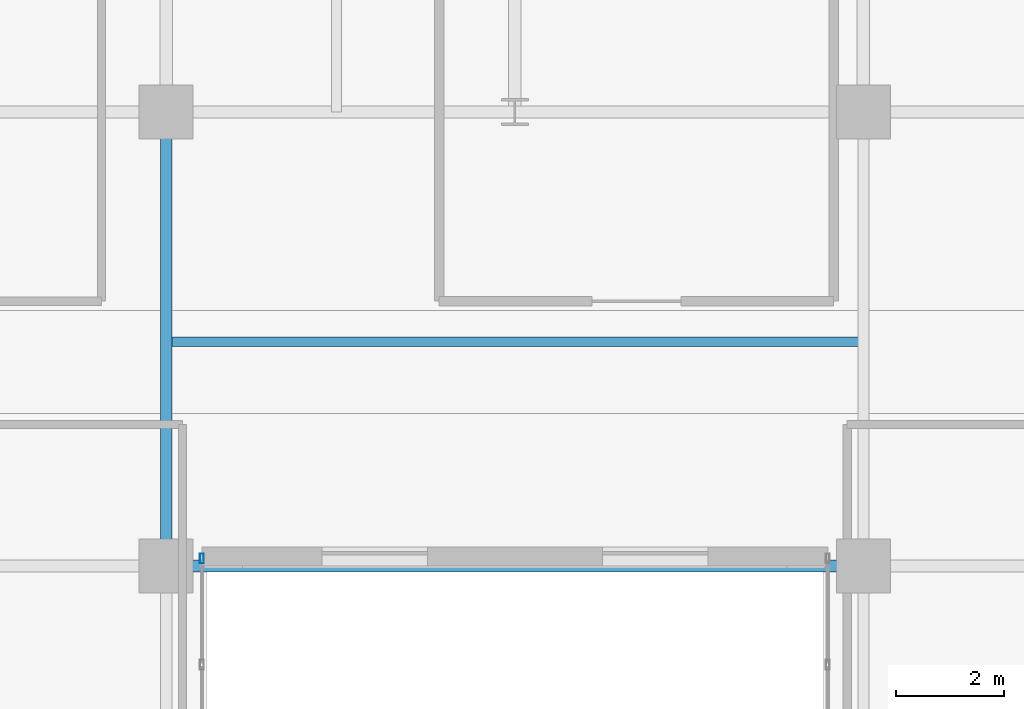
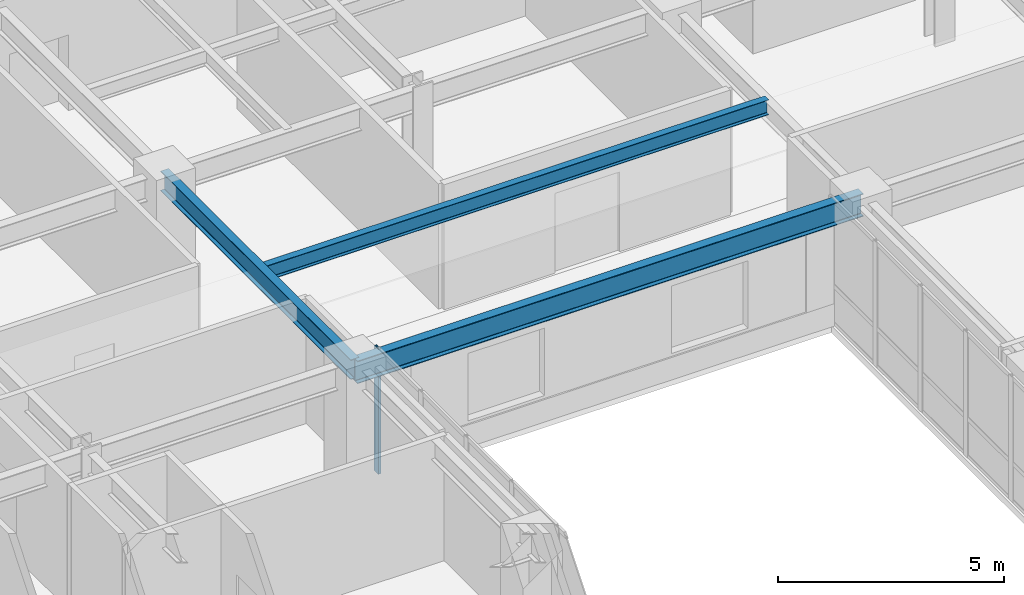
# One storey, part 5 of 24: 3 beams, 1 member, 1 element without a shape of its own.
"""IFC4 building model written with IfcOpenShell, lengths in metres."""

from ifc_helpers import new_model, si_unit, direction, frame, origin, origin_2d, place, context, subcontext, project, spatial, hollow_rectangle, i_section, extrude, source, transform, mapped, material, layer, layer_set, material_profile, profile_set, type_object, type_shapes, element, aggregate, save


model = new_model("IFC4")

# Units and contexts
model_context = context("Model", 3, precision=1e-05, world=origin(), true_north=direction((0.0, 1.0)))
body_context = subcontext(model_context, "Body", "Model", "MODEL_VIEW")
ifc_project = project(units=[si_unit("LENGTHUNIT", "METRE"), si_unit("AREAUNIT", "SQUARE_METRE"), si_unit("VOLUMEUNIT", "CUBIC_METRE"), si_unit("PLANEANGLEUNIT", "RADIAN"), si_unit("MASSUNIT", "GRAM", prefix="KILO")], contexts=[model_context])

# Site, building, storey
site_placement = place(None, origin())
site = spatial("IfcSite", under=ifc_project, at=site_placement, CompositionType="ELEMENT")
building_placement = place(site_placement, origin())
building = spatial("IfcBuilding", under=site, at=building_placement, Name="Tolvann Quenvar Hotel", CompositionType="ELEMENT")
storey_placement = place(building_placement, frame((0.0, 0.0, 67.5)))
storey = spatial("IfcBuildingStorey", under=building, at=storey_placement, Name="L16", CompositionType="ELEMENT", Elevation=67.5)

# Beams
ifc_material_1 = material(Name="Steel Grade 350", Category="steel")
ifc_material_profile_1 = material_profile(ifc_material_1, i_section(OverallWidth=0.22900390625, OverallDepth=0.612060546875, WebThickness=0.011962890625, FlangeThickness=0.01953125, FilletRadius=0.013916015625, at=origin_2d()), Name="610UB125")
ifc_profile_set_1 = profile_set([ifc_material_profile_1], Name="Steel Grade 350")
beam_type_1 = type_object("IfcBeamType", Name="BM_GIRD_610UB125", PredefinedType="BEAM", material=ifc_profile_set_1)
shared_shape_1 = source(origin(), body_context, "Body", "SweptSolid", [
    extrude(i_section(OverallWidth=0.22900390625, OverallDepth=0.612060546875, WebThickness=0.011962890625, FlangeThickness=0.01953125, FilletRadius=0.013916015625, at=origin_2d()), origin(), (0.0, 0.0, 1.0), 12.89990234375),
])
type_shapes(beam_type_1, [shared_shape_1])
beam_1_placement = place(storey_placement, frame((22.050048828125, 16.0, 3.06396484375), z_axis=(1.0, 0.0, 0.0), x_axis=(0.0, 1.0, 0.0)))
element("IfcBeam", 1, at=beam_1_placement, inside=storey, type_object=beam_type_1, Name="BM-L16-EW-4-E4-F4", PredefinedType="BEAM", context=body_context, shape_type="MappedRepresentation", body=[
    mapped(shared_shape_1, transform((0.0, 0.0, 0.0), x_axis=(1.0, 0.0, 0.0), y_axis=(0.0, 1.0, 0.0), z_axis=(0.0, 0.0, 1.0), scale=1.0)),
])
ifc_material_profile_2 = material_profile(ifc_material_1, i_section(OverallWidth=0.208984375, OverallDepth=0.532958984375, WebThickness=0.01025390625, FlangeThickness=0.015625, FilletRadius=0.013916015625, at=origin_2d()), Name="530UB92")
ifc_profile_set_2 = profile_set([ifc_material_profile_2], Name="Steel Grade 350")
beam_type_2 = type_object("IfcBeamType", Name="BM_GIRD_530UB92", PredefinedType="BEAM", material=ifc_profile_set_2)
shared_shape_2 = source(origin(), body_context, "Body", "SweptSolid", [
    extrude(i_section(OverallWidth=0.208984375, OverallDepth=0.532958984375, WebThickness=0.01025390625, FlangeThickness=0.015625, FilletRadius=0.013916015625, at=origin_2d()), origin(), (0.0, 0.0, 1.0), 8.39990234375),
])
type_shapes(beam_type_2, [shared_shape_2])
beam_2_placement = place(storey_placement, frame((22.050048828125, 16.0, 3.103515625), z_axis=(0.0, 1.0, 0.0), x_axis=(-1.0, 0.0, 0.0)))
element("IfcBeam", 2, at=beam_2_placement, inside=storey, type_object=beam_type_2, Name="BM-L16-NS-E4-E5", PredefinedType="BEAM", context=body_context, shape_type="MappedRepresentation", body=[
    mapped(shared_shape_2, transform((0.0, 0.0, 0.0), x_axis=(1.0, 0.0, 0.0), y_axis=(0.0, 1.0, 0.0), z_axis=(0.0, 0.0, 1.0), scale=1.0)),
])
ifc_material_profile_3 = material_profile(ifc_material_1, i_section(OverallWidth=0.177978515625, OverallDepth=0.406005859375, WebThickness=0.0078125, FlangeThickness=0.0126953125, FilletRadius=0.011474609375, at=origin_2d()), Name="410UB60")
ifc_profile_set_3 = profile_set([ifc_material_profile_3], Name="Steel Grade 350")
beam_type_3 = type_object("IfcBeamType", Name="BM_JOIST_410UB60", PredefinedType="JOIST", material=ifc_profile_set_3)
shared_shape_3 = source(origin(), body_context, "Body", "SweptSolid", [
    extrude(i_section(OverallWidth=0.177978515625, OverallDepth=0.406005859375, WebThickness=0.0078125, FlangeThickness=0.0126953125, FilletRadius=0.011474609375, at=origin_2d()), origin(), (0.0, 0.0, 1.0), 12.89990234375),
])
type_shapes(beam_type_3, [shared_shape_3])
beam_3_placement = place(storey_placement, frame((22.050048828125, 20.14990234375, 3.1669921875), z_axis=(1.0, 0.0, 0.0), x_axis=(0.0, 1.0, 0.0)))
element("IfcBeam", 3, at=beam_3_placement, inside=storey, type_object=beam_type_3, Name="BM-L16-SPINE-20", PredefinedType="JOIST", context=body_context, shape_type="MappedRepresentation", body=[
    mapped(shared_shape_3, transform((0.0, 0.0, 0.0), x_axis=(1.0, 0.0, 0.0), y_axis=(0.0, 1.0, 0.0), z_axis=(0.0, 0.0, 1.0), scale=1.0)),
])

# Curtain wall, member
ifc_material_2 = material(Name="Thermally broken anodised architectural aluminium 6063-T6 and laminated low-E glass", Category="aluminium")
ifc_layer = layer(ifc_material_2, 0.179931640625)
ifc_layer_set = layer_set([ifc_layer], Name="Thermally broken anodised architectural aluminium 6063-T6 and laminated low-E glass")
curtain_wall_type = type_object("IfcCurtainWallType", Name="CW_SYS_SLOT_03", PredefinedType="USERDEFINED", material=ifc_layer_set)
curtain_wall_placement = place(storey_placement, origin())
curtain_wall = element("IfcCurtainWall", 4, at=curtain_wall_placement, inside=storey, type_object=curtain_wall_type, Name="Curtain Wall CW-SLOT-03 (CWR-L16-E05)", ObjectType="UNITISED CURTAIN WALL", PredefinedType="USERDEFINED")
ifc_material_3 = material(Name="Anodised architectural aluminium 6063-T6 framing", Category="aluminium")
ifc_material_profile_4 = material_profile(ifc_material_3, hollow_rectangle(XDim=0.070068359375, YDim=0.179931640625, WallThickness=0.00390625, at=origin_2d()), Name="180x70x4RHS")
ifc_profile_set_4 = profile_set([ifc_material_profile_4], Name="Anodised architectural aluminium 6063-T6 framing")
member_type = type_object("IfcMemberType", Name="CW_MULL_180x70", PredefinedType="MULLION", material=ifc_profile_set_4)
shared_shape_4 = source(origin(), body_context, "Body", "SweptSolid", [
    extrude(hollow_rectangle(XDim=0.070068359375, YDim=0.179931640625, WallThickness=0.00390625, at=origin_2d()), origin(), (0.0, 0.0, 1.0), 3.3701171875),
])
type_shapes(member_type, [shared_shape_4])
member_placement = place(storey_placement, frame((22.7099609375, 16.139892578125, 0.0), z_axis=(0.0, 0.0, 1.0), x_axis=(-1.0, 0.0, 0.0)))
member = element("IfcMember", 5, at=member_placement, type_object=member_type, Name="CW-SLOT-03 mullion 9", PredefinedType="MULLION", context=body_context, shape_type="MappedRepresentation", body=[
    mapped(shared_shape_4, transform((0.0, 0.0, 0.0), x_axis=(1.0, 0.0, 0.0), y_axis=(0.0, 1.0, 0.0), z_axis=(0.0, 0.0, 1.0), scale=1.0)),
])
aggregate(curtain_wall, [member])

save(model, "model.ifc")
